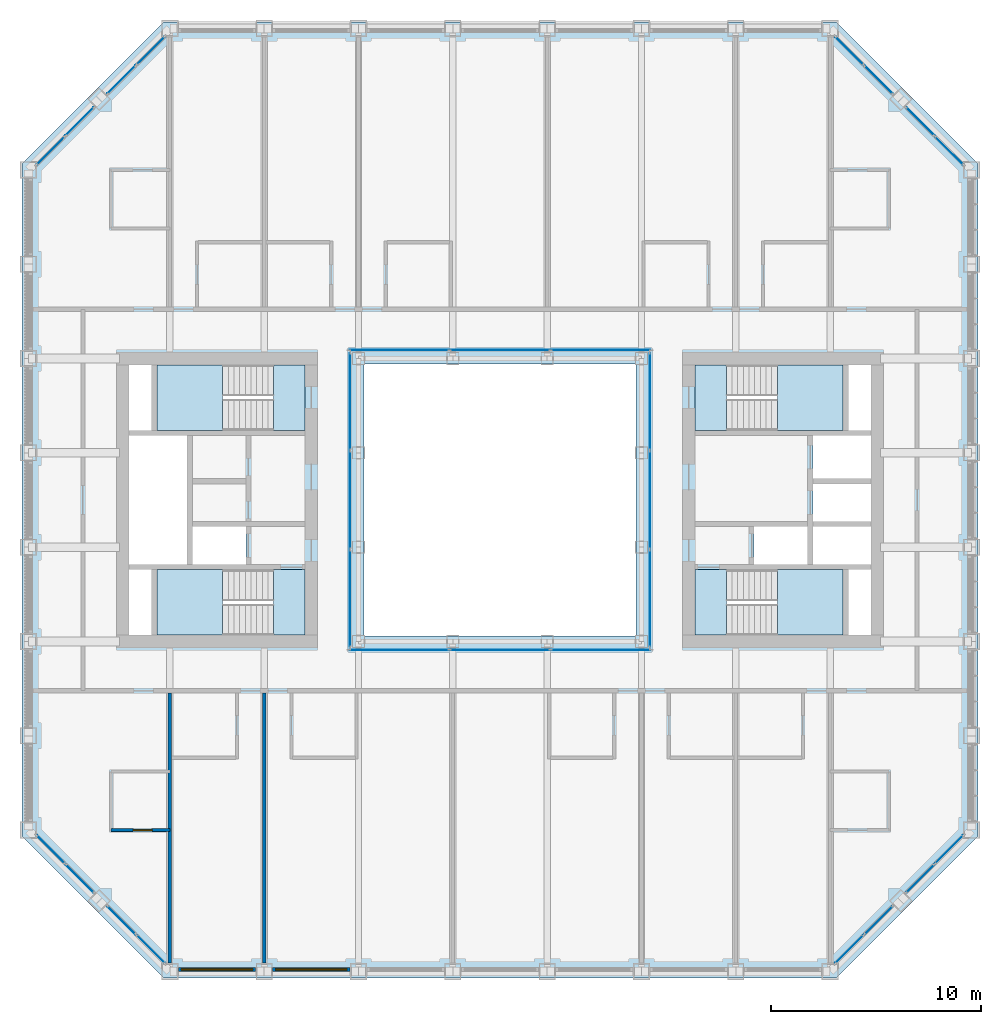
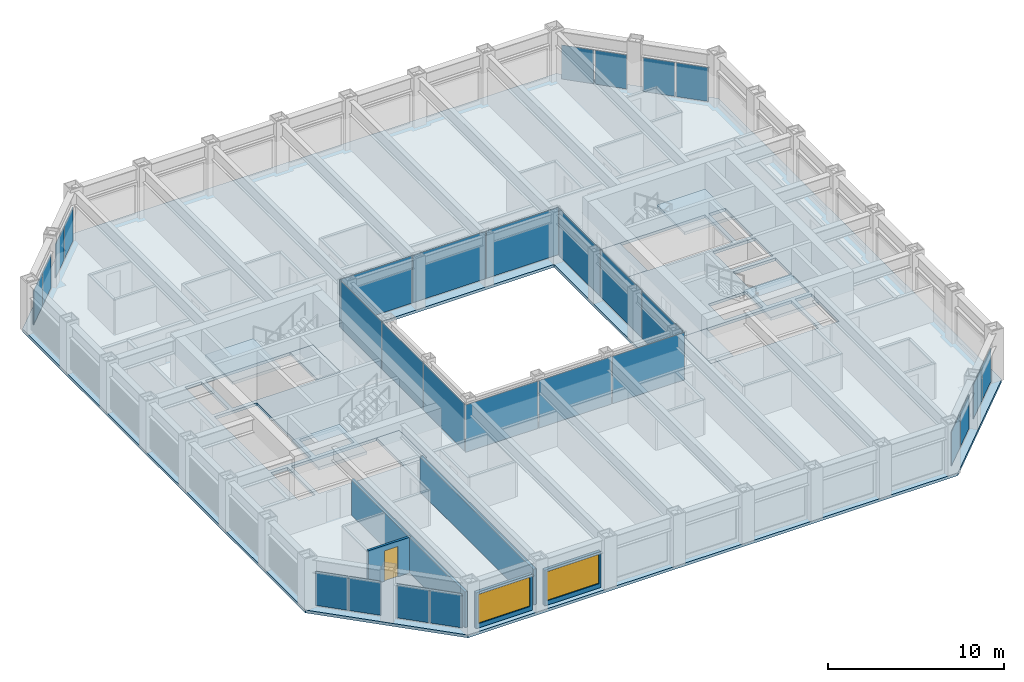
# One storey, part 9 of 17: 28 plates, 9 slabs, 5 walls, 2 windows, 1 door, 3 openings, 16 elements without a shape of their own.
"""IFC4 building model written with IfcOpenShell, lengths in metres."""

import ifcopenshell
import ifcopenshell.guid

model = None  # the IFC model being written
_history = None  # IfcOwnerHistory: only IFC2X3 demands one
_inside = {}  # id of a spatial element -> (the spatial element, [elements in it])
_under = {}  # id of a project, library or spatial element -> (it, [spatial elements below it])
_declared = {}  # id of a project -> (the project, [libraries it declares])
_typed = {}  # id of a type object -> (the type object, [elements of that type])
_made_of = {}  # id of a material, layer set ... -> (it, [elements and type objects made of it])


def new_model(schema):
    """Start an empty IFC model of exactly this schema.

    Asked for "IFC4X3", IfcOpenShell would pick the latest addendum, in which some entities
    have other attributes; the version numbers below select the first issue.
    IFC2X3 requires an IfcOwnerHistory on every rooted entity: one is made here for all.
    """
    global model, _history
    if schema == "IFC4X3":
        model = ifcopenshell.file(schema_version=(4, 3, 0, 0))
    else:
        model = ifcopenshell.file(schema=schema)
    _inside.clear()
    _under.clear()
    _declared.clear()
    _typed.clear()
    _made_of.clear()
    _history = None
    if model.schema == "IFC2X3":
        org = make("IfcOrganization", Name="unknown")
        user = make(
            "IfcPersonAndOrganization",
            ThePerson=make("IfcPerson", FamilyName="unknown"),
            TheOrganization=org,
        )
        app = make(
            "IfcApplication",
            ApplicationDeveloper=org,
            Version="unknown",
            ApplicationFullName="unknown",
            ApplicationIdentifier="unknown",
        )
        _history = make(
            "IfcOwnerHistory",
            OwningUser=user,
            OwningApplication=app,
            ChangeAction="ADDED",
            CreationDate=0,
        )
    return model


def make(cls, **values):
    """One entity of the class cls with the attributes given. An attribute that is None is left unset."""
    return model.create_entity(
        cls, **{name: value for name, value in values.items() if value is not None}
    )


def rooted(cls, **values):
    """An entity with a GlobalId (a new one), such as an element, a storey or a relation."""
    return make(cls, GlobalId=ifcopenshell.guid.new(), OwnerHistory=_history, **values)


def si_unit(unit_type, name, prefix=None):
    """IfcSIUnit, for example si_unit("LENGTHUNIT", "METRE", prefix="MILLI")."""
    return make("IfcSIUnit", UnitType=unit_type, Prefix=prefix, Name=name)


def assignment(units):
    """IfcUnitAssignment: the units of a project."""
    return None if units is None else make("IfcUnitAssignment", Units=units)


def point(xyz):
    """IfcCartesianPoint."""
    return None if xyz is None else make("IfcCartesianPoint", Coordinates=xyz)


def direction(xyz):
    """IfcDirection."""
    return None if xyz is None else make("IfcDirection", DirectionRatios=xyz)


def frame(location, z_axis=None, x_axis=None):
    """IfcAxis2Placement3D, a coordinate frame: its origin and axes. An axis left out is left unset."""
    return make(
        "IfcAxis2Placement3D",
        Location=point(location),
        Axis=direction(z_axis),
        RefDirection=direction(x_axis),
    )


def frame_2d(location, x_axis=None):
    """IfcAxis2Placement2D, a coordinate frame in the plane: its origin and x axis."""
    return make(
        "IfcAxis2Placement2D", Location=point(location), RefDirection=direction(x_axis)
    )


def origin():
    """The frame at (0, 0, 0) with its axes left unset."""
    return frame((0.0, 0.0, 0.0))


def origin_2d():
    """The frame at (0, 0) in the plane with its x axis left unset."""
    return frame_2d((0.0, 0.0))


def place(relative_to, where):
    """IfcLocalPlacement: puts the frame where relative to a parent placement (None: the world)."""
    return make(
        "IfcLocalPlacement", PlacementRelTo=relative_to, RelativePlacement=where
    )


def context(
    kind, dimensions, precision=None, world=None, true_north=None, identifier=None
):
    """IfcGeometricRepresentationContext, for example the 3D "Model" context."""
    return make(
        "IfcGeometricRepresentationContext",
        ContextIdentifier=identifier,
        ContextType=kind,
        CoordinateSpaceDimension=dimensions,
        Precision=precision,
        WorldCoordinateSystem=world,
        TrueNorth=true_north,
    )


def subcontext(parent, identifier, kind, view, scale=None):
    """IfcGeometricRepresentationSubContext, for example "Body" below "Model"."""
    return make(
        "IfcGeometricRepresentationSubContext",
        ContextIdentifier=identifier,
        ContextType=kind,
        ParentContext=parent,
        TargetScale=scale,
        TargetView=view,
    )


def project(units=None, contexts=None):
    """IfcProject with its units and contexts."""
    return rooted(
        "IfcProject",
        Name="project",
        RepresentationContexts=contexts,
        UnitsInContext=assignment(units),
    )


def spatial(cls, under=None, at=None, **own):
    """A site, building, storey or space (cls), placed at a placement, below another one or the project."""
    s = rooted(cls, ObjectPlacement=at, **own)
    if under is not None:
        _under.setdefault(under.id(), (under, []))[1].append(s)
    return s


def polyline(points):
    """IfcPolyline through the points."""
    return make("IfcPolyline", Points=[point(p) for p in points])


def profile(cls, at=None, kind="AREA", **sizes):
    """A parametric profile (cls). Its sizes go by their IFC names, for example OverallWidth=200.0."""
    return make(cls, ProfileType=kind, Position=at, **sizes)


def rectangle(**sizes):
    """IfcRectangleProfileDef."""
    return profile("IfcRectangleProfileDef", **sizes)


def outline(outer, holes=None, kind="AREA"):
    """IfcArbitraryClosedProfileDef: a profile drawn as a closed curve; with holes, ...WithVoids."""
    if holes is None:
        return make("IfcArbitraryClosedProfileDef", ProfileType=kind, OuterCurve=outer)
    return make(
        "IfcArbitraryProfileDefWithVoids",
        ProfileType=kind,
        OuterCurve=outer,
        InnerCurves=holes,
    )


def extrude(swept, where, along, depth):
    """IfcExtrudedAreaSolid: the profile swept, set in the frame where, extruded along a direction by depth."""
    return make(
        "IfcExtrudedAreaSolid",
        SweptArea=swept,
        Position=where,
        ExtrudedDirection=direction(along),
        Depth=depth,
    )


def shape(context_of_items, identifier, shape_type, items):
    """IfcShapeRepresentation: the items that make up one representation, for example the "Body"."""
    return make(
        "IfcShapeRepresentation",
        ContextOfItems=context_of_items,
        RepresentationIdentifier=identifier,
        RepresentationType=shape_type,
        Items=items,
    )


def material(Name=None, Category=None):
    """IfcMaterial."""
    return make("IfcMaterial", Name=Name, Category=Category)


def layer(
    of_material, thickness, ventilated=None, Name=None, Category=None, Priority=None
):
    """IfcMaterialLayer: one layer of a wall or slab, of a material (None: an air gap)."""
    return make(
        "IfcMaterialLayer",
        Material=of_material,
        LayerThickness=thickness,
        IsVentilated=ventilated,
        Name=Name,
        Category=Category,
        Priority=Priority,
    )


def layer_set(layers, Name=None):
    """IfcMaterialLayerSet."""
    return make("IfcMaterialLayerSet", MaterialLayers=layers, LayerSetName=Name)


def made_of(thing, what):
    """Note that an element or type object is made of a material, layer set ...; save() writes the relation."""
    if what is not None:
        _made_of.setdefault(what.id(), (what, []))[1].append(thing)
    return thing


def type_object(cls, material=None, **own):
    """A type object (cls), such as IfcWallType, which elements share."""
    return made_of(rooted(cls, **own), material)


def element(
    cls,
    number,
    at=None,
    inside=None,
    cuts=None,
    type_object=None,
    material=None,
    context=None,
    identifier="Body",
    shape_type=None,
    held_by="IfcProductDefinitionShape",
    body=None,
    shapes=None,
    **own,
):
    """One element of the class cls, such as IfcWall. Its Tag is "e" and its number.

    at: its placement. inside: the storey or other place that contains it. cuts: it is an
    opening in that element (IfcRelVoidsElement). A single representation is given by context,
    identifier, shape_type and body (its items); several are given by shapes. held_by: the class
    of the entity that holds the representations. save() writes the other relations.
    """
    e = rooted(cls, Tag="e%d" % number, ObjectPlacement=at, **own)
    if body is not None:
        shapes = [shape(context, identifier, shape_type, body)]
    if shapes is not None:
        e.Representation = make(held_by, Representations=shapes)
    if inside is not None:
        _inside.setdefault(inside.id(), (inside, []))[1].append(e)
    if cuts is not None:
        rooted(
            "IfcRelVoidsElement", RelatingBuildingElement=cuts, RelatedOpeningElement=e
        )
    if type_object is not None:
        _typed.setdefault(type_object.id(), (type_object, []))[1].append(e)
    return made_of(e, material)


def fill(opening, filler):
    """IfcRelFillsElement: the door or window that sits in an opening."""
    return rooted(
        "IfcRelFillsElement",
        RelatingOpeningElement=opening,
        RelatedBuildingElement=filler,
    )


def aggregate(whole, parts):
    """IfcRelAggregates: a whole, such as a stair, and the parts it consists of."""
    return rooted("IfcRelAggregates", RelatingObject=whole, RelatedObjects=parts)


def save(model, path):
    """Write the relations noted so far, then the file.

    IfcRelAggregates (storeys below a building ...), IfcRelContainedInSpatialStructure (elements
    in a storey), IfcRelDefinesByType, IfcRelAssociatesMaterial and IfcRelDeclares: one each for
    every whole, place, type object, material and project.
    """
    for whole, parts in _under.values():
        aggregate(whole, parts)
    for where, things in _inside.values():
        rooted(
            "IfcRelContainedInSpatialStructure",
            RelatedElements=things,
            RelatingStructure=where,
        )
    for kind, things in _typed.values():
        rooted("IfcRelDefinesByType", RelatedObjects=things, RelatingType=kind)
    for what, things in _made_of.values():
        rooted("IfcRelAssociatesMaterial", RelatedObjects=things, RelatingMaterial=what)
    for by, libraries in _declared.values():
        rooted("IfcRelDeclares", RelatingContext=by, RelatedDefinitions=libraries)
    model.write(path)


model = new_model("IFC4")

# Units and contexts
model_context = context("Model", 3, precision=1e-05, world=origin(), true_north=direction((0.0, 1.0)))
body_context = subcontext(model_context, "Body", "Model", "MODEL_VIEW")
ifc_project = project(units=[si_unit("LENGTHUNIT", "METRE"), si_unit("AREAUNIT", "SQUARE_METRE"), si_unit("VOLUMEUNIT", "CUBIC_METRE"), si_unit("PLANEANGLEUNIT", "RADIAN"), si_unit("MASSUNIT", "GRAM", prefix="KILO")], contexts=[model_context])

# Site, building, storey
site_placement = place(None, origin())
site = spatial("IfcSite", under=ifc_project, at=site_placement, CompositionType="ELEMENT")
building_placement = place(site_placement, origin())
building = spatial("IfcBuilding", under=site, at=building_placement, Name="Msasa Ring Tower", CompositionType="ELEMENT")
storey_placement = place(building_placement, frame((0.0, 0.0, 129.199951171875)))
storey = spatial("IfcBuildingStorey", under=building, at=storey_placement, Name="L33", CompositionType="ELEMENT", Elevation=129.199951171875)

# Curtain wall, plates
ifc_material_1 = material(Name="Aluminium curtain wall with clear glass", Category="aluminium")
curtain_wall_type_1 = type_object("IfcCurtainWallType", Name="CW-C CHAMFER CORNER CURTAIN WALL", PredefinedType="NOTDEFINED", material=ifc_material_1)
curtain_wall_1_placement = place(storey_placement, origin())
curtain_wall_1 = element("IfcCurtainWall", 1, at=curtain_wall_1_placement, inside=storey, type_object=curtain_wall_type_1, Name="Chamfer corner curtain wall SE L33", PredefinedType="NOTDEFINED")
ifc_material_2 = material(Name="Clear laminated insulating glass unit", Category="glass")
ifc_layer_1 = layer(ifc_material_2, 0.031982421875)
ifc_layer_set_1 = layer_set([ifc_layer_1], Name="CW-C GLASS PANEL 32")
plate_type_1 = type_object("IfcPlateType", Name="CW-C GLASS PANEL 32", PredefinedType="CURTAIN_PANEL", material=ifc_layer_set_1)
plate_1_placement = place(storey_placement, frame((16.677734375, -21.430908203125, 0.06494140625), z_axis=(0.0, 0.0, 1.0), x_axis=(0.707106781187, 0.707106781187, 0.0)))
plate_1 = element("IfcPlate", 2, at=plate_1_placement, type_object=plate_type_1, Name="CW-C panel 1.1", PredefinedType="CURTAIN_PANEL", context=body_context, shape_type="SweptSolid", body=[
    extrude(rectangle(XDim=1.884033203125, YDim=0.031982421875, at=origin_2d()), origin(), (0.0, 0.0, 1.0), 2.34912109375),
])
plate_2_placement = place(storey_placement, frame((18.055908203125, -20.052734375, 0.06494140625), z_axis=(0.0, 0.0, 1.0), x_axis=(0.707106781187, 0.707106781187, 0.0)))
plate_2 = element("IfcPlate", 3, at=plate_2_placement, type_object=plate_type_1, Name="CW-C panel 2.1", PredefinedType="CURTAIN_PANEL", context=body_context, shape_type="SweptSolid", body=[
    extrude(rectangle(XDim=1.884033203125, YDim=0.031982421875, at=origin_2d()), origin(), (0.0, 0.0, 1.0), 2.34912109375),
])
aggregate(curtain_wall_1, [plate_1, plate_2])

curtain_wall_2_placement = place(storey_placement, origin())
curtain_wall_2 = element("IfcCurtainWall", 4, at=curtain_wall_2_placement, inside=storey, type_object=curtain_wall_type_1, Name="Chamfer corner curtain wall SE L33", PredefinedType="NOTDEFINED")
plate_3_placement = place(storey_placement, frame((20.052734375, -18.055908203125, 0.06494140625), z_axis=(0.0, 0.0, 1.0), x_axis=(0.707106781187, 0.707106781187, 0.0)))
plate_3 = element("IfcPlate", 5, at=plate_3_placement, type_object=plate_type_1, Name="CW-C panel 1.1", PredefinedType="CURTAIN_PANEL", context=body_context, shape_type="SweptSolid", body=[
    extrude(rectangle(XDim=1.884033203125, YDim=0.031982421875, at=origin_2d()), origin(), (0.0, 0.0, 1.0), 2.34912109375),
])
plate_4_placement = place(storey_placement, frame((21.430908203125, -16.677734375, 0.06494140625), z_axis=(0.0, 0.0, 1.0), x_axis=(0.707106781187, 0.707106781187, 0.0)))
plate_4 = element("IfcPlate", 6, at=plate_4_placement, type_object=plate_type_1, Name="CW-C panel 2.1", PredefinedType="CURTAIN_PANEL", context=body_context, shape_type="SweptSolid", body=[
    extrude(rectangle(XDim=1.884033203125, YDim=0.031982421875, at=origin_2d()), origin(), (0.0, 0.0, 1.0), 2.34912109375),
])
aggregate(curtain_wall_2, [plate_3, plate_4])

curtain_wall_3_placement = place(storey_placement, origin())
curtain_wall_3 = element("IfcCurtainWall", 7, at=curtain_wall_3_placement, inside=storey, type_object=curtain_wall_type_1, Name="Chamfer corner curtain wall NE L33", PredefinedType="NOTDEFINED")
plate_5_placement = place(storey_placement, frame((18.055908203125, 20.052734375, 0.06494140625), z_axis=(0.0, 0.0, 1.0), x_axis=(-0.707106781187, 0.707106781187, 0.0)))
plate_5 = element("IfcPlate", 8, at=plate_5_placement, type_object=plate_type_1, Name="CW-C panel 1.1", PredefinedType="CURTAIN_PANEL", context=body_context, shape_type="SweptSolid", body=[
    extrude(rectangle(XDim=1.884033203125, YDim=0.031982421875, at=origin_2d()), origin(), (0.0, 0.0, 1.0), 2.34912109375),
])
plate_6_placement = place(storey_placement, frame((16.677734375, 21.430908203125, 0.06494140625), z_axis=(0.0, 0.0, 1.0), x_axis=(-0.707106781187, 0.707106781187, 0.0)))
plate_6 = element("IfcPlate", 9, at=plate_6_placement, type_object=plate_type_1, Name="CW-C panel 2.1", PredefinedType="CURTAIN_PANEL", context=body_context, shape_type="SweptSolid", body=[
    extrude(rectangle(XDim=1.884033203125, YDim=0.031982421875, at=origin_2d()), origin(), (0.0, 0.0, 1.0), 2.34912109375),
])
aggregate(curtain_wall_3, [plate_5, plate_6])

curtain_wall_4_placement = place(storey_placement, origin())
curtain_wall_4 = element("IfcCurtainWall", 10, at=curtain_wall_4_placement, inside=storey, type_object=curtain_wall_type_1, Name="Chamfer corner curtain wall NE L33", PredefinedType="NOTDEFINED")
plate_7_placement = place(storey_placement, frame((21.430908203125, 16.677734375, 0.06494140625), z_axis=(0.0, 0.0, 1.0), x_axis=(-0.707106781187, 0.707106781187, 0.0)))
plate_7 = element("IfcPlate", 11, at=plate_7_placement, type_object=plate_type_1, Name="CW-C panel 1.1", PredefinedType="CURTAIN_PANEL", context=body_context, shape_type="SweptSolid", body=[
    extrude(rectangle(XDim=1.884033203125, YDim=0.031982421875, at=origin_2d()), origin(), (0.0, 0.0, 1.0), 2.34912109375),
])
plate_8_placement = place(storey_placement, frame((20.052734375, 18.055908203125, 0.06494140625), z_axis=(0.0, 0.0, 1.0), x_axis=(-0.707106781187, 0.707106781187, 0.0)))
plate_8 = element("IfcPlate", 12, at=plate_8_placement, type_object=plate_type_1, Name="CW-C panel 2.1", PredefinedType="CURTAIN_PANEL", context=body_context, shape_type="SweptSolid", body=[
    extrude(rectangle(XDim=1.884033203125, YDim=0.031982421875, at=origin_2d()), origin(), (0.0, 0.0, 1.0), 2.34912109375),
])
aggregate(curtain_wall_4, [plate_7, plate_8])

curtain_wall_5_placement = place(storey_placement, origin())
curtain_wall_5 = element("IfcCurtainWall", 13, at=curtain_wall_5_placement, inside=storey, type_object=curtain_wall_type_1, Name="Chamfer corner curtain wall NW L33", PredefinedType="NOTDEFINED")
plate_9_placement = place(storey_placement, frame((-20.052734375, 18.055908203125, 0.06494140625), z_axis=(0.0, 0.0, 1.0), x_axis=(-0.707106781187, -0.707106781187, 0.0)))
plate_9 = element("IfcPlate", 14, at=plate_9_placement, type_object=plate_type_1, Name="CW-C panel 1.1", PredefinedType="CURTAIN_PANEL", context=body_context, shape_type="SweptSolid", body=[
    extrude(rectangle(XDim=1.884033203125, YDim=0.031982421875, at=origin_2d()), origin(), (0.0, 0.0, 1.0), 2.34912109375),
])
plate_10_placement = place(storey_placement, frame((-21.430908203125, 16.677734375, 0.06494140625), z_axis=(0.0, 0.0, 1.0), x_axis=(-0.707106781187, -0.707106781187, 0.0)))
plate_10 = element("IfcPlate", 15, at=plate_10_placement, type_object=plate_type_1, Name="CW-C panel 2.1", PredefinedType="CURTAIN_PANEL", context=body_context, shape_type="SweptSolid", body=[
    extrude(rectangle(XDim=1.884033203125, YDim=0.031982421875, at=origin_2d()), origin(), (0.0, 0.0, 1.0), 2.34912109375),
])
aggregate(curtain_wall_5, [plate_9, plate_10])

curtain_wall_6_placement = place(storey_placement, origin())
curtain_wall_6 = element("IfcCurtainWall", 16, at=curtain_wall_6_placement, inside=storey, type_object=curtain_wall_type_1, Name="Chamfer corner curtain wall NW L33", PredefinedType="NOTDEFINED")
plate_11_placement = place(storey_placement, frame((-16.677734375, 21.430908203125, 0.06494140625), z_axis=(0.0, 0.0, 1.0), x_axis=(-0.707106781187, -0.707106781187, 0.0)))
plate_11 = element("IfcPlate", 17, at=plate_11_placement, type_object=plate_type_1, Name="CW-C panel 1.1", PredefinedType="CURTAIN_PANEL", context=body_context, shape_type="SweptSolid", body=[
    extrude(rectangle(XDim=1.884033203125, YDim=0.031982421875, at=origin_2d()), origin(), (0.0, 0.0, 1.0), 2.34912109375),
])
plate_12_placement = place(storey_placement, frame((-18.055908203125, 20.052734375, 0.06494140625), z_axis=(0.0, 0.0, 1.0), x_axis=(-0.707106781187, -0.707106781187, 0.0)))
plate_12 = element("IfcPlate", 18, at=plate_12_placement, type_object=plate_type_1, Name="CW-C panel 2.1", PredefinedType="CURTAIN_PANEL", context=body_context, shape_type="SweptSolid", body=[
    extrude(rectangle(XDim=1.884033203125, YDim=0.031982421875, at=origin_2d()), origin(), (0.0, 0.0, 1.0), 2.34912109375),
])
aggregate(curtain_wall_6, [plate_11, plate_12])

curtain_wall_7_placement = place(storey_placement, origin())
curtain_wall_7 = element("IfcCurtainWall", 19, at=curtain_wall_7_placement, inside=storey, type_object=curtain_wall_type_1, Name="Chamfer corner curtain wall SW L33", PredefinedType="NOTDEFINED")
plate_13_placement = place(storey_placement, frame((-21.430908203125, -16.677734375, 0.06494140625), z_axis=(0.0, 0.0, 1.0), x_axis=(0.707106781187, -0.707106781187, 0.0)))
plate_13 = element("IfcPlate", 20, at=plate_13_placement, type_object=plate_type_1, Name="CW-C panel 1.1", PredefinedType="CURTAIN_PANEL", context=body_context, shape_type="SweptSolid", body=[
    extrude(rectangle(XDim=1.884033203125, YDim=0.031982421875, at=origin_2d()), origin(), (0.0, 0.0, 1.0), 2.34912109375),
])
plate_14_placement = place(storey_placement, frame((-20.052734375, -18.055908203125, 0.06494140625), z_axis=(0.0, 0.0, 1.0), x_axis=(0.707106781187, -0.707106781187, 0.0)))
plate_14 = element("IfcPlate", 21, at=plate_14_placement, type_object=plate_type_1, Name="CW-C panel 2.1", PredefinedType="CURTAIN_PANEL", context=body_context, shape_type="SweptSolid", body=[
    extrude(rectangle(XDim=1.884033203125, YDim=0.031982421875, at=origin_2d()), origin(), (0.0, 0.0, 1.0), 2.34912109375),
])
aggregate(curtain_wall_7, [plate_13, plate_14])

curtain_wall_8_placement = place(storey_placement, origin())
curtain_wall_8 = element("IfcCurtainWall", 22, at=curtain_wall_8_placement, inside=storey, type_object=curtain_wall_type_1, Name="Chamfer corner curtain wall SW L33", PredefinedType="NOTDEFINED")
plate_15_placement = place(storey_placement, frame((-18.055908203125, -20.052734375, 0.06494140625), z_axis=(0.0, 0.0, 1.0), x_axis=(0.707106781187, -0.707106781187, 0.0)))
plate_15 = element("IfcPlate", 23, at=plate_15_placement, type_object=plate_type_1, Name="CW-C panel 1.1", PredefinedType="CURTAIN_PANEL", context=body_context, shape_type="SweptSolid", body=[
    extrude(rectangle(XDim=1.884033203125, YDim=0.031982421875, at=origin_2d()), origin(), (0.0, 0.0, 1.0), 2.34912109375),
])
plate_16_placement = place(storey_placement, frame((-16.677734375, -21.430908203125, 0.06494140625), z_axis=(0.0, 0.0, 1.0), x_axis=(0.707106781187, -0.707106781187, 0.0)))
plate_16 = element("IfcPlate", 24, at=plate_16_placement, type_object=plate_type_1, Name="CW-C panel 2.1", PredefinedType="CURTAIN_PANEL", context=body_context, shape_type="SweptSolid", body=[
    extrude(rectangle(XDim=1.884033203125, YDim=0.031982421875, at=origin_2d()), origin(), (0.0, 0.0, 1.0), 2.34912109375),
])
aggregate(curtain_wall_8, [plate_15, plate_16])

ifc_material_3 = material(Name="Aluminium curtain wall with clear glass", Category="aluminium")
curtain_wall_type_2 = type_object("IfcCurtainWallType", Name="CW-W LIGHT WELL CURTAIN WALL", PredefinedType="NOTDEFINED", material=ifc_material_3)
curtain_wall_9_placement = place(storey_placement, origin())
curtain_wall_9 = element("IfcCurtainWall", 25, at=curtain_wall_9_placement, inside=storey, type_object=curtain_wall_type_2, Name="Light well curtain wall N L33", PredefinedType="NOTDEFINED")
ifc_material_4 = material(Name="Clear laminated insulating glass unit", Category="glass")
ifc_layer_2 = layer(ifc_material_4, 0.028076171875)
ifc_layer_set_2 = layer_set([ifc_layer_2], Name="CW-W GLASS PANEL 28")
plate_type_2 = type_object("IfcPlateType", Name="CW-W GLASS PANEL 28", PredefinedType="CURTAIN_PANEL", material=ifc_layer_set_2)
plate_17_placement = place(storey_placement, frame((-4.804931640625, 7.14990234375, 0.06005859375), z_axis=(0.0, 0.0, 1.0), x_axis=(1.0, 0.0, 0.0)))
plate_17 = element("IfcPlate", 26, at=plate_17_placement, type_object=plate_type_2, Name="CW-W panel 1.1", PredefinedType="CURTAIN_PANEL", context=body_context, shape_type="SweptSolid", body=[
    extrude(rectangle(XDim=4.72998046875, YDim=0.028076171875, at=origin_2d()), origin(), (0.0, 0.0, 1.0), 3.280029296875),
])
plate_18_placement = place(storey_placement, frame((0.0, 7.14990234375, 0.06005859375), z_axis=(0.0, 0.0, 1.0), x_axis=(1.0, 0.0, 0.0)))
plate_18 = element("IfcPlate", 27, at=plate_18_placement, type_object=plate_type_2, Name="CW-W panel 2.1", PredefinedType="CURTAIN_PANEL", context=body_context, shape_type="SweptSolid", body=[
    extrude(rectangle(XDim=4.760009765625, YDim=0.028076171875, at=origin_2d()), origin(), (0.0, 0.0, 1.0), 3.280029296875),
])
plate_19_placement = place(storey_placement, frame((4.804931640625, 7.14990234375, 0.06005859375), z_axis=(0.0, 0.0, 1.0), x_axis=(1.0, 0.0, 0.0)))
plate_19 = element("IfcPlate", 28, at=plate_19_placement, type_object=plate_type_2, Name="CW-W panel 3.1", PredefinedType="CURTAIN_PANEL", context=body_context, shape_type="SweptSolid", body=[
    extrude(rectangle(XDim=4.72998046875, YDim=0.028076171875, at=origin_2d()), origin(), (0.0, 0.0, 1.0), 3.280029296875),
])
aggregate(curtain_wall_9, [plate_17, plate_18, plate_19])

curtain_wall_10_placement = place(storey_placement, origin())
curtain_wall_10 = element("IfcCurtainWall", 29, at=curtain_wall_10_placement, inside=storey, type_object=curtain_wall_type_2, Name="Light well curtain wall S L33", PredefinedType="NOTDEFINED")
plate_20_placement = place(storey_placement, frame((-4.804931640625, -7.14990234375, 0.06005859375), z_axis=(0.0, 0.0, 1.0), x_axis=(1.0, 0.0, 0.0)))
plate_20 = element("IfcPlate", 30, at=plate_20_placement, type_object=plate_type_2, Name="CW-W panel 1.1", PredefinedType="CURTAIN_PANEL", context=body_context, shape_type="SweptSolid", body=[
    extrude(rectangle(XDim=4.72998046875, YDim=0.028076171875, at=origin_2d()), origin(), (0.0, 0.0, 1.0), 3.280029296875),
])
plate_21_placement = place(storey_placement, frame((0.0, -7.14990234375, 0.06005859375), z_axis=(0.0, 0.0, 1.0), x_axis=(1.0, 0.0, 0.0)))
plate_21 = element("IfcPlate", 31, at=plate_21_placement, type_object=plate_type_2, Name="CW-W panel 2.1", PredefinedType="CURTAIN_PANEL", context=body_context, shape_type="SweptSolid", body=[
    extrude(rectangle(XDim=4.760009765625, YDim=0.028076171875, at=origin_2d()), origin(), (0.0, 0.0, 1.0), 3.280029296875),
])
plate_22_placement = place(storey_placement, frame((4.804931640625, -7.14990234375, 0.06005859375), z_axis=(0.0, 0.0, 1.0), x_axis=(1.0, 0.0, 0.0)))
plate_22 = element("IfcPlate", 32, at=plate_22_placement, type_object=plate_type_2, Name="CW-W panel 3.1", PredefinedType="CURTAIN_PANEL", context=body_context, shape_type="SweptSolid", body=[
    extrude(rectangle(XDim=4.72998046875, YDim=0.028076171875, at=origin_2d()), origin(), (0.0, 0.0, 1.0), 3.280029296875),
])
aggregate(curtain_wall_10, [plate_20, plate_21, plate_22])

curtain_wall_11_placement = place(storey_placement, origin())
curtain_wall_11 = element("IfcCurtainWall", 33, at=curtain_wall_11_placement, inside=storey, type_object=curtain_wall_type_2, Name="Light well curtain wall E L33", PredefinedType="NOTDEFINED")
plate_23_placement = place(storey_placement, frame((7.14990234375, -4.6982421875, 0.06005859375), z_axis=(0.0, 0.0, 1.0), x_axis=(0.0, 1.0, 0.0)))
plate_23 = element("IfcPlate", 34, at=plate_23_placement, type_object=plate_type_2, Name="CW-W panel 1.1", PredefinedType="CURTAIN_PANEL", context=body_context, shape_type="SweptSolid", body=[
    extrude(rectangle(XDim=4.623291015625, YDim=0.028076171875, at=origin_2d()), origin(), (0.0, 0.0, 1.0), 3.280029296875),
])
plate_24_placement = place(storey_placement, frame((7.14990234375, 0.0, 0.06005859375), z_axis=(0.0, 0.0, 1.0), x_axis=(0.0, 1.0, 0.0)))
plate_24 = element("IfcPlate", 35, at=plate_24_placement, type_object=plate_type_2, Name="CW-W panel 2.1", PredefinedType="CURTAIN_PANEL", context=body_context, shape_type="SweptSolid", body=[
    extrude(rectangle(XDim=4.6533203125, YDim=0.028076171875, at=origin_2d()), origin(), (0.0, 0.0, 1.0), 3.280029296875),
])
plate_25_placement = place(storey_placement, frame((7.14990234375, 4.6982421875, 0.06005859375), z_axis=(0.0, 0.0, 1.0), x_axis=(0.0, 1.0, 0.0)))
plate_25 = element("IfcPlate", 36, at=plate_25_placement, type_object=plate_type_2, Name="CW-W panel 3.1", PredefinedType="CURTAIN_PANEL", context=body_context, shape_type="SweptSolid", body=[
    extrude(rectangle(XDim=4.623291015625, YDim=0.028076171875, at=origin_2d()), origin(), (0.0, 0.0, 1.0), 3.280029296875),
])
aggregate(curtain_wall_11, [plate_23, plate_24, plate_25])

curtain_wall_12_placement = place(storey_placement, origin())
curtain_wall_12 = element("IfcCurtainWall", 37, at=curtain_wall_12_placement, inside=storey, type_object=curtain_wall_type_2, Name="Light well curtain wall W L33", PredefinedType="NOTDEFINED")
plate_26_placement = place(storey_placement, frame((-7.14990234375, -4.6982421875, 0.06005859375), z_axis=(0.0, 0.0, 1.0), x_axis=(0.0, 1.0, 0.0)))
plate_26 = element("IfcPlate", 38, at=plate_26_placement, type_object=plate_type_2, Name="CW-W panel 1.1", PredefinedType="CURTAIN_PANEL", context=body_context, shape_type="SweptSolid", body=[
    extrude(rectangle(XDim=4.623291015625, YDim=0.028076171875, at=origin_2d()), origin(), (0.0, 0.0, 1.0), 3.280029296875),
])
plate_27_placement = place(storey_placement, frame((-7.14990234375, 0.0, 0.06005859375), z_axis=(0.0, 0.0, 1.0), x_axis=(0.0, 1.0, 0.0)))
plate_27 = element("IfcPlate", 39, at=plate_27_placement, type_object=plate_type_2, Name="CW-W panel 2.1", PredefinedType="CURTAIN_PANEL", context=body_context, shape_type="SweptSolid", body=[
    extrude(rectangle(XDim=4.6533203125, YDim=0.028076171875, at=origin_2d()), origin(), (0.0, 0.0, 1.0), 3.280029296875),
])
plate_28_placement = place(storey_placement, frame((-7.14990234375, 4.6982421875, 0.06005859375), z_axis=(0.0, 0.0, 1.0), x_axis=(0.0, 1.0, 0.0)))
plate_28 = element("IfcPlate", 40, at=plate_28_placement, type_object=plate_type_2, Name="CW-W panel 3.1", PredefinedType="CURTAIN_PANEL", context=body_context, shape_type="SweptSolid", body=[
    extrude(rectangle(XDim=4.623291015625, YDim=0.028076171875, at=origin_2d()), origin(), (0.0, 0.0, 1.0), 3.280029296875),
])
aggregate(curtain_wall_12, [plate_26, plate_27, plate_28])

# Stair, slabs
ifc_material_5 = material(Name="Concrete C40/50", Category="concrete")
stair_type = type_object("IfcStairType", Name="STC CORE STAIR 20 RISERS 180", PredefinedType="HALF_TURN_STAIR", material=ifc_material_5)
stair_1_placement = place(storey_placement, origin())
stair_1 = element("IfcStair", 41, at=stair_1_placement, inside=storey, type_object=stair_type, Name="Core stair SEA L33", PredefinedType="HALF_TURN_STAIR")
ifc_material_6 = material(Name="Concrete C40/50", Category="concrete")
ifc_layer_3 = layer(ifc_material_6, 0.199951171875)
ifc_layer_set_3 = layer_set([ifc_layer_3], Name="LD1 CORE STAIR LANDING 200")
slab_type_1 = type_object("IfcSlabType", Name="LD1 CORE STAIR LANDING 200", PredefinedType="LANDING", material=ifc_layer_set_3)
slab_1_placement = place(storey_placement, frame((0.0, 0.0, -0.199951171875)))
slab_1 = element("IfcSlab", 42, at=slab_1_placement, type_object=slab_type_1, Name="SEA landing 1", PredefinedType="LANDING", context=body_context, shape_type="SweptSolid", body=[
    extrude(outline(polyline([(9.300048828125, -6.449951171875), (10.800048828125, -6.449951171875), (10.800048828125, -3.324951171875), (9.300048828125, -3.324951171875), (9.300048828125, -6.449951171875)])), origin(), (0.0, 0.0, 1.0), 0.199951171875),
])
slab_2_placement = place(storey_placement, frame((0.0, 0.0, 1.60009765625)))
slab_2 = element("IfcSlab", 43, at=slab_2_placement, type_object=slab_type_1, Name="SEA landing 2", PredefinedType="LANDING", context=body_context, shape_type="SweptSolid", body=[
    extrude(outline(polyline([(13.22998046875, -6.449951171875), (16.375, -6.449951171875), (16.375, -3.324951171875), (13.22998046875, -3.324951171875), (13.22998046875, -6.449951171875)])), origin(), (0.0, 0.0, 1.0), 0.199951171875),
])
aggregate(stair_1, [slab_1, slab_2])

stair_2_placement = place(storey_placement, origin())
stair_2 = element("IfcStair", 44, at=stair_2_placement, inside=storey, type_object=stair_type, Name="Core stair SEB L33", PredefinedType="HALF_TURN_STAIR")
slab_3_placement = place(storey_placement, frame((0.0, 0.0, -0.199951171875)))
slab_3 = element("IfcSlab", 45, at=slab_3_placement, type_object=slab_type_1, Name="SEB landing 1", PredefinedType="LANDING", context=body_context, shape_type="SweptSolid", body=[
    extrude(outline(polyline([(9.300048828125, 3.324951171875), (10.800048828125, 3.324951171875), (10.800048828125, 6.449951171875), (9.300048828125, 6.449951171875), (9.300048828125, 3.324951171875)])), origin(), (0.0, 0.0, 1.0), 0.199951171875),
])
slab_4_placement = place(storey_placement, frame((0.0, 0.0, 1.60009765625)))
slab_4 = element("IfcSlab", 46, at=slab_4_placement, type_object=slab_type_1, Name="SEB landing 2", PredefinedType="LANDING", context=body_context, shape_type="SweptSolid", body=[
    extrude(outline(polyline([(13.22998046875, 3.324951171875), (16.375, 3.324951171875), (16.375, 6.449951171875), (13.22998046875, 6.449951171875), (13.22998046875, 3.324951171875)])), origin(), (0.0, 0.0, 1.0), 0.199951171875),
])
aggregate(stair_2, [slab_3, slab_4])

stair_3_placement = place(storey_placement, origin())
stair_3 = element("IfcStair", 47, at=stair_3_placement, inside=storey, type_object=stair_type, Name="Core stair SWA L33", PredefinedType="HALF_TURN_STAIR")
slab_5_placement = place(storey_placement, frame((0.0, 0.0, -0.199951171875)))
slab_5 = element("IfcSlab", 48, at=slab_5_placement, type_object=slab_type_1, Name="SWA landing 1", PredefinedType="LANDING", context=body_context, shape_type="SweptSolid", body=[
    extrude(outline(polyline([(-10.800048828125, -6.449951171875), (-9.300048828125, -6.449951171875), (-9.300048828125, -3.324951171875), (-10.800048828125, -3.324951171875), (-10.800048828125, -6.449951171875)])), origin(), (0.0, 0.0, 1.0), 0.199951171875),
])
slab_6_placement = place(storey_placement, frame((0.0, 0.0, 1.60009765625)))
slab_6 = element("IfcSlab", 49, at=slab_6_placement, type_object=slab_type_1, Name="SWA landing 2", PredefinedType="LANDING", context=body_context, shape_type="SweptSolid", body=[
    extrude(outline(polyline([(-16.375, -6.449951171875), (-13.22998046875, -6.449951171875), (-13.22998046875, -3.324951171875), (-16.375, -3.324951171875), (-16.375, -6.449951171875)])), origin(), (0.0, 0.0, 1.0), 0.199951171875),
])
aggregate(stair_3, [slab_5, slab_6])

stair_4_placement = place(storey_placement, origin())
stair_4 = element("IfcStair", 50, at=stair_4_placement, inside=storey, type_object=stair_type, Name="Core stair SWB L33", PredefinedType="HALF_TURN_STAIR")
slab_7_placement = place(storey_placement, frame((0.0, 0.0, -0.199951171875)))
slab_7 = element("IfcSlab", 51, at=slab_7_placement, type_object=slab_type_1, Name="SWB landing 1", PredefinedType="LANDING", context=body_context, shape_type="SweptSolid", body=[
    extrude(outline(polyline([(-10.800048828125, 3.324951171875), (-9.300048828125, 3.324951171875), (-9.300048828125, 6.449951171875), (-10.800048828125, 6.449951171875), (-10.800048828125, 3.324951171875)])), origin(), (0.0, 0.0, 1.0), 0.199951171875),
])
slab_8_placement = place(storey_placement, frame((0.0, 0.0, 1.60009765625)))
slab_8 = element("IfcSlab", 52, at=slab_8_placement, type_object=slab_type_1, Name="SWB landing 2", PredefinedType="LANDING", context=body_context, shape_type="SweptSolid", body=[
    extrude(outline(polyline([(-16.375, 3.324951171875), (-13.22998046875, 3.324951171875), (-13.22998046875, 6.449951171875), (-16.375, 6.449951171875), (-16.375, 3.324951171875)])), origin(), (0.0, 0.0, 1.0), 0.199951171875),
])
aggregate(stair_4, [slab_7, slab_8])

# Slab
ifc_material_7 = material(Name="Concrete C40/50", Category="concrete")
ifc_layer_4 = layer(ifc_material_7, 0.199951171875)
ifc_layer_set_4 = layer_set([ifc_layer_4], Name="S6 GUEST FLOOR 200")
slab_type_2 = type_object("IfcSlabType", Name="S6 GUEST FLOOR 200", PredefinedType="FLOOR", material=ifc_layer_set_4)
slab_9_placement = place(storey_placement, frame((0.0, 0.0, -0.199951171875)))
element("IfcSlab", 53, at=slab_9_placement, inside=storey, type_object=slab_type_2, Name="Floor slab L33", PredefinedType="FLOOR", context=body_context, shape_type="SweptSolid", body=[
    extrude(outline(polyline([(-16.050048828125, -22.800048828125), (16.050048828125, -22.800048828125), (22.800048828125, -16.050048828125), (22.800048828125, 16.050048828125), (16.050048828125, 22.800048828125), (-16.050048828125, 22.800048828125), (-22.800048828125, 16.050048828125), (-22.800048828125, -16.050048828125), (-16.050048828125, -22.800048828125)]), holes=[polyline([(-6.5, -6.5), (6.5, -6.5), (6.5, 6.5), (-6.5, 6.5), (-6.5, -6.5)]), polyline([(9.300048828125, -6.449951171875), (16.375, -6.449951171875), (16.375, -3.324951171875), (9.300048828125, -3.324951171875), (9.300048828125, -6.449951171875)]), polyline([(9.300048828125, 3.324951171875), (16.375, 3.324951171875), (16.375, 6.449951171875), (9.300048828125, 6.449951171875), (9.300048828125, 3.324951171875)]), polyline([(12.125, -3.074951171875), (14.675048828125, -3.074951171875), (14.675048828125, -1.27490234375), (12.125, -1.27490234375), (12.125, -3.074951171875)]), polyline([(16.625, -6.449951171875), (17.699951171875, -6.449951171875), (17.699951171875, -3.324951171875), (16.625, -3.324951171875), (16.625, -6.449951171875)]), polyline([(16.625, 3.324951171875), (17.699951171875, 3.324951171875), (17.699951171875, 6.449951171875), (16.625, 6.449951171875), (16.625, 3.324951171875)]), polyline([(14.925048828125, -3.074951171875), (17.699951171875, -3.074951171875), (17.699951171875, -1.27490234375), (14.925048828125, -1.27490234375), (14.925048828125, -3.074951171875)]), polyline([(14.925048828125, -1.02490234375), (17.699951171875, -1.02490234375), (17.699951171875, 0.77490234375), (14.925048828125, 0.77490234375), (14.925048828125, -1.02490234375)]), polyline([(14.925048828125, 1.02490234375), (17.699951171875, 1.02490234375), (17.699951171875, 3.074951171875), (14.925048828125, 3.074951171875), (14.925048828125, 1.02490234375)]), polyline([(-16.375, -6.449951171875), (-9.300048828125, -6.449951171875), (-9.300048828125, -3.324951171875), (-16.375, -3.324951171875), (-16.375, -6.449951171875)]), polyline([(-16.375, 3.324951171875), (-9.300048828125, 3.324951171875), (-9.300048828125, 6.449951171875), (-16.375, 6.449951171875), (-16.375, 3.324951171875)]), polyline([(-14.675048828125, -3.074951171875), (-12.125, -3.074951171875), (-12.125, -1.27490234375), (-14.675048828125, -1.27490234375), (-14.675048828125, -3.074951171875)]), polyline([(-17.699951171875, -6.449951171875), (-16.625, -6.449951171875), (-16.625, -3.324951171875), (-17.699951171875, -3.324951171875), (-17.699951171875, -6.449951171875)]), polyline([(-17.699951171875, 3.324951171875), (-16.625, 3.324951171875), (-16.625, 6.449951171875), (-17.699951171875, 6.449951171875), (-17.699951171875, 3.324951171875)]), polyline([(-17.699951171875, -3.074951171875), (-14.925048828125, -3.074951171875), (-14.925048828125, 3.074951171875), (-17.699951171875, 3.074951171875), (-17.699951171875, -3.074951171875)])]), origin(), (0.0, 0.0, 1.0), 0.199951171875),
])

# Wall, opening, window
ifc_material_8 = material(Name="Terracotta rainscreen on blockwork", Category="masonry")
ifc_layer_5 = layer(ifc_material_8, 0.199951171875)
ifc_layer_set_5 = layer_set([ifc_layer_5], Name="FW1 TERRACOTTA-LINED INFILL BAY WALL 200")
wall_type_1 = type_object("IfcWallType", Name="FW1 TERRACOTTA-LINED INFILL BAY WALL 200", PredefinedType="SOLIDWALL", material=ifc_layer_set_5)
wall_1_placement = place(storey_placement, frame((-15.344970703125, -22.39990234375, 0.0), z_axis=(0.0, 0.0, 1.0), x_axis=(1.0, 0.0, 0.0)))
wall_1 = element("IfcWall", 54, at=wall_1_placement, inside=storey, type_object=wall_type_1, Name="Infill bay wall S L33 00", PredefinedType="SOLIDWALL", context=body_context, shape_type="SweptSolid", body=[
    extrude(rectangle(XDim=3.68994140625, YDim=0.199951171875, at=frame_2d((1.844970703125, 0.0))), origin(), (0.0, 0.0, 1.0), 2.47900390625),
])
opening_1_placement = place(wall_1_placement, frame((0.14501953125, 0.0, 0.300048828125)))
opening_1 = element("IfcOpeningElement", 55, at=opening_1_placement, cuts=wall_1, Name="Opening WN2", PredefinedType="OPENING", context=body_context, shape_type="SweptSolid", body=[
    extrude(rectangle(XDim=3.39990234375, YDim=2.029052734375, at=frame_2d((1.699951171875, 1.0146484375))), frame((0.0, 0.10986328125, 0.0), z_axis=(0.0, -1.0, 0.0), x_axis=(1.0, 0.0, 0.0)), (0.0, 0.0, 1.0), 0.219970703125),
])
ifc_material_9 = material(Name="Aluminium frame with clear glass", Category="aluminium")
window_type = type_object("IfcWindowType", Name="WN2 GUEST ROOM WINDOW 3400x2029", PartitioningType="SINGLE_PANEL", PredefinedType="WINDOW", material=ifc_material_9)
window_1_placement = place(opening_1_placement, origin())
window_1 = element("IfcWindow", 56, at=window_1_placement, inside=storey, type_object=window_type, Name="Window S L33 00", OverallHeight=2.029052734375, OverallWidth=3.39990234375, PartitioningType="SINGLE_PANEL", PredefinedType="WINDOW", context=body_context, shape_type="SweptSolid", body=[
    extrude(rectangle(XDim=3.39990234375, YDim=2.029052734375, at=frame_2d((1.699951171875, 1.0146484375))), frame((0.0, 0.030029296875, 0.0), z_axis=(0.0, -1.0, 0.0), x_axis=(1.0, 0.0, 0.0)), (0.0, 0.0, 1.0), 0.06005859375),
])
fill(opening_1, window_1)

wall_2_placement = place(storey_placement, frame((-10.844970703125, -22.39990234375, 0.0), z_axis=(0.0, 0.0, 1.0), x_axis=(1.0, 0.0, 0.0)))
wall_2 = element("IfcWall", 57, at=wall_2_placement, inside=storey, type_object=wall_type_1, Name="Infill bay wall S L33 01", PredefinedType="SOLIDWALL", context=body_context, shape_type="SweptSolid", body=[
    extrude(rectangle(XDim=3.68994140625, YDim=0.199951171875, at=frame_2d((1.844970703125, 0.0))), origin(), (0.0, 0.0, 1.0), 2.47900390625),
])
opening_2_placement = place(wall_2_placement, frame((0.14501953125, 0.0, 0.300048828125)))
opening_2 = element("IfcOpeningElement", 58, at=opening_2_placement, cuts=wall_2, Name="Opening WN2", PredefinedType="OPENING", context=body_context, shape_type="SweptSolid", body=[
    extrude(rectangle(XDim=3.39990234375, YDim=2.029052734375, at=frame_2d((1.699951171875, 1.0146484375))), frame((0.0, 0.10986328125, 0.0), z_axis=(0.0, -1.0, 0.0), x_axis=(1.0, 0.0, 0.0)), (0.0, 0.0, 1.0), 0.219970703125),
])
window_2_placement = place(opening_2_placement, origin())
window_2 = element("IfcWindow", 59, at=window_2_placement, inside=storey, type_object=window_type, Name="Window S L33 01", OverallHeight=2.029052734375, OverallWidth=3.39990234375, PartitioningType="SINGLE_PANEL", PredefinedType="WINDOW", context=body_context, shape_type="SweptSolid", body=[
    extrude(rectangle(XDim=3.39990234375, YDim=2.029052734375, at=frame_2d((1.699951171875, 1.0146484375))), frame((0.0, 0.030029296875, 0.0), z_axis=(0.0, -1.0, 0.0), x_axis=(1.0, 0.0, 0.0)), (0.0, 0.0, 1.0), 0.06005859375),
])
fill(opening_2, window_2)

# Wall, opening, door
ifc_material_10 = material(Name="Moisture-resistant board on steel studs with a concealed cistern and pipe void, tiled", Category="steel")
ifc_layer_6 = layer(ifc_material_10, 0.14990234375)
ifc_layer_set_6 = layer_set([ifc_layer_6], Name="PT4 BATHROOM WET WALL 150")
wall_type_2 = type_object("IfcWallType", Name="PT4 BATHROOM WET WALL 150", PredefinedType="PARTITIONING", material=ifc_layer_set_6)
wall_3_placement = place(storey_placement, frame((-18.550048828125, -15.75, 0.0), z_axis=(0.0, 0.0, 1.0), x_axis=(1.0, 0.0, 0.0)))
wall_3 = element("IfcWall", 60, at=wall_3_placement, inside=storey, type_object=wall_type_2, Name="Partition L33-CSSWBZ", PredefinedType="PARTITIONING", context=body_context, shape_type="SweptSolid", body=[
    extrude(rectangle(XDim=2.800048828125, YDim=0.14990234375, at=frame_2d((1.39990234375, 0.0))), origin(), (0.0, 0.0, 1.0), 2.473388671875),
])
opening_3_placement = place(wall_3_placement, frame((1.050048828125, 0.0, 0.0)))
opening_3 = element("IfcOpeningElement", 61, at=opening_3_placement, cuts=wall_3, Name="Opening HB-039", PredefinedType="OPENING", context=body_context, shape_type="SweptSolid", body=[
    extrude(rectangle(XDim=0.89990234375, YDim=2.10009765625, at=frame_2d((0.449951171875, 1.050048828125))), frame((0.0, 0.0849609375, 0.0), z_axis=(0.0, -1.0, 0.0), x_axis=(1.0, 0.0, 0.0)), (0.0, 0.0, 1.0), 0.169921875),
])
ifc_material_11 = material(Name="Timber door leaf in a steel frame", Category="steel")
door_type = type_object("IfcDoorType", Name="D3 BATHROOM DOOR 900x2100", OperationType="SINGLE_SWING_LEFT", PredefinedType="DOOR", material=ifc_material_11)
door_placement = place(opening_3_placement, origin())
door = element("IfcDoor", 62, at=door_placement, inside=storey, type_object=door_type, Name="Door L33-CSSWB1", OperationType="SINGLE_SWING_RIGHT", OverallHeight=2.10009765625, OverallWidth=0.89990234375, PredefinedType="DOOR", context=body_context, shape_type="SweptSolid", body=[
    extrude(rectangle(XDim=0.89990234375, YDim=2.10009765625, at=frame_2d((0.449951171875, 1.050048828125))), frame((0.0, 0.02490234375, 0.0), z_axis=(0.0, -1.0, 0.0), x_axis=(1.0, 0.0, 0.0)), (0.0, 0.0, 1.0), 0.050048828125),
])
fill(opening_3, door)

# Walls
ifc_material_12 = material(Name="Twin steel studs, two layers of acoustic board each face, mineral wool", Category="steel")
ifc_layer_7 = layer(ifc_material_12, 0.175048828125)
ifc_layer_set_7 = layer_set([ifc_layer_7], Name="PT5 GUEST ROOM SEPARATING WALL 175")
wall_type_3 = type_object("IfcWallType", Name="PT5 GUEST ROOM SEPARATING WALL 175", PredefinedType="PARTITIONING", material=ifc_layer_set_7)
for number, where, z_axis, x_axis, name in (
    (63, (-15.75, -22.10009765625, 0.0), (0.0, 0.0, 1.0), (0.0, 1.0, 0.0), "Partition L33-PWS-15.75"),
    (64, (-11.25, -22.10009765625, 0.0), (0.0, 0.0, 1.0), (0.0, 1.0, 0.0), "Partition L33-PWS-11.25"),
):
    element("IfcWall", number, at=place(storey_placement, frame(where, z_axis=z_axis, x_axis=x_axis)), inside=storey, type_object=wall_type_3, Name=name, PredefinedType="PARTITIONING", context=body_context, shape_type="SweptSolid", body=[
        extrude(rectangle(XDim=12.900146484375, YDim=0.175048828125, at=frame_2d((6.4501953125, 0.0))), origin(), (0.0, 0.0, 1.0), 2.473388671875),
    ])

save(model, "model.ifc")
